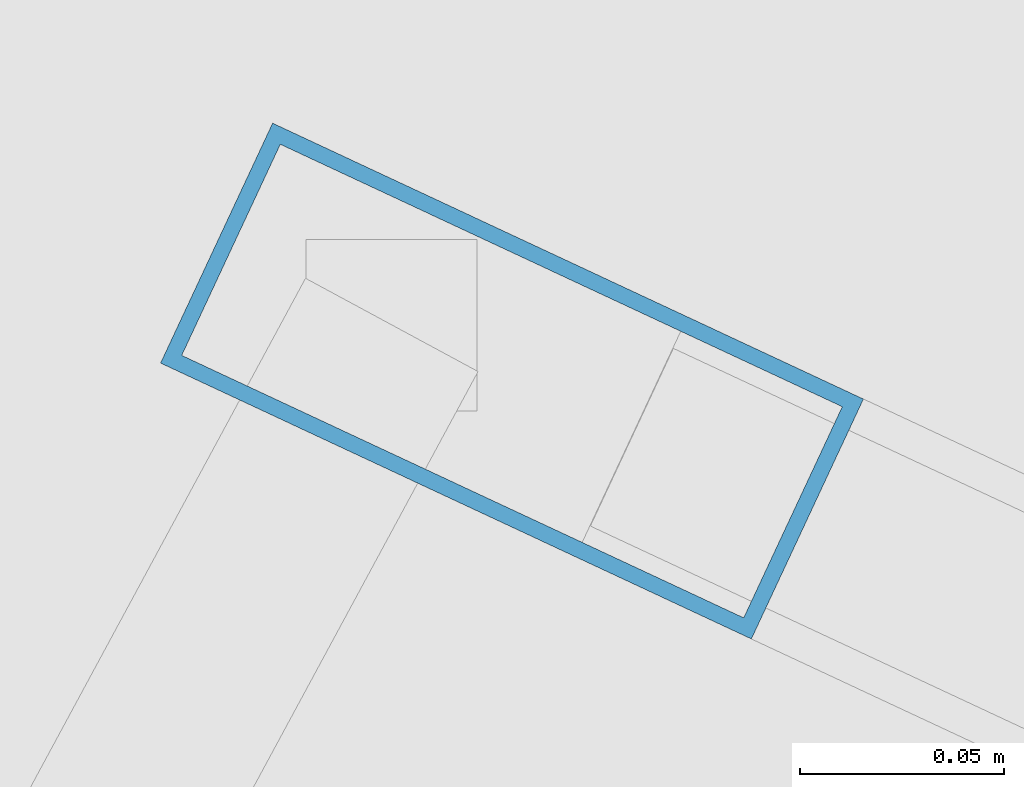
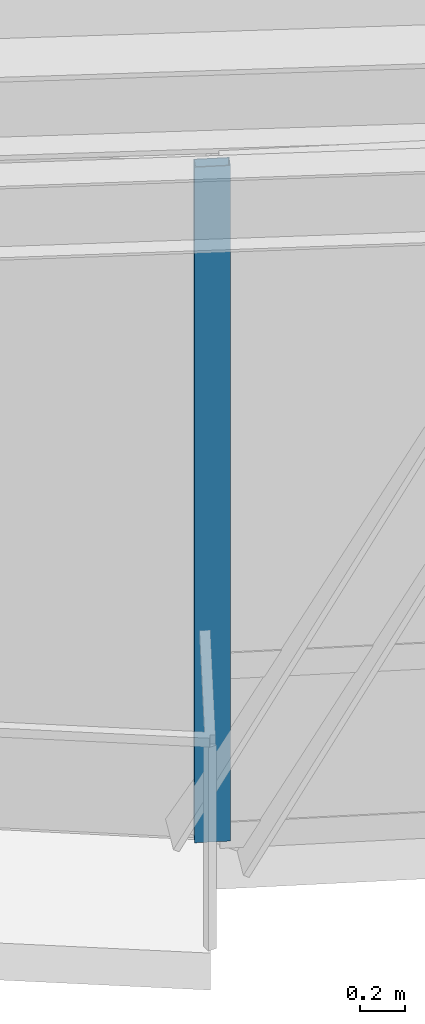
# One storey, part 2 of 22: 1 member, 1 element without a shape of its own.
"""IFC4 building model written with IfcOpenShell, lengths in metres."""

from ifc_helpers import new_model, si_unit, direction, frame, origin, origin_2d, place, context, subcontext, project, spatial, hollow_rectangle, extrude, source, transform, mapped, material, material_profile, profile_set, type_object, element, aggregate, save


model = new_model("IFC4")

# Units and contexts
model_context = context("Model", 3, precision=1e-05, world=origin(), true_north=direction((0.0, 1.0)))
body_context = subcontext(model_context, "Body", "Model", "MODEL_VIEW")
ifc_project = project(units=[si_unit("LENGTHUNIT", "METRE"), si_unit("AREAUNIT", "SQUARE_METRE"), si_unit("VOLUMEUNIT", "CUBIC_METRE"), si_unit("PLANEANGLEUNIT", "RADIAN"), si_unit("MASSUNIT", "GRAM", prefix="KILO")], contexts=[model_context])

# Site, building, storey
site_placement = place(None, origin())
site = spatial("IfcSite", under=ifc_project, at=site_placement, CompositionType="ELEMENT")
building_placement = place(site_placement, origin())
building = spatial("IfcBuilding", under=site, at=building_placement, Name="Olszyna Solenne Hotel", CompositionType="ELEMENT")
storey_placement = place(building_placement, frame((0.0, 0.0, 286.10009765625)))
storey = spatial("IfcBuildingStorey", under=building, at=storey_placement, Name="L76", CompositionType="ELEMENT", Elevation=286.10009765625)

# Curtain wall, member
ifc_material = material(Name="Anodised bronze aluminium", Category="aluminium")
curtain_wall_type = type_object("IfcCurtainWallType", Name="CW-SYS-7", PredefinedType="NOTDEFINED", material=ifc_material)
curtain_wall_placement = place(storey_placement, origin())
curtain_wall = element("IfcCurtainWall", 1, at=curtain_wall_placement, inside=storey, type_object=curtain_wall_type, Name="Unitised curtain wall CW-SYS-7 CW-L76-01", PredefinedType="NOTDEFINED")
ifc_material_profile = material_profile(ifc_material, hollow_rectangle(XDim=0.06494140625, YDim=0.159912109375, WallThickness=0.00390625, at=origin_2d()), Name="MULL 160x65x4", Category="load-bearing")
ifc_profile_set = profile_set([ifc_material_profile], Name="Anodised bronze aluminium")
member_type = type_object("IfcMemberType", Name="CW-M3", PredefinedType="MULLION", material=ifc_profile_set)
shared_shape = source(origin(), body_context, "Body", "SweptSolid", [
    extrude(hollow_rectangle(XDim=0.06494140625, YDim=0.159912109375, WallThickness=0.00390625, at=origin_2d()), origin(), (0.0, 0.0, 1.0), 3.661865234375),
])
member_placement = place(storey_placement, frame((30.5478515625, 12.828857421875, 0.0), z_axis=(0.0, 0.0, 1.0), x_axis=(0.423084055613, 0.906090438028, 0.0)))
member = element("IfcMember", 2, at=member_placement, type_object=member_type, Name="Curtain-wall mullion CW-M3 CM-L76-01-01", PredefinedType="MULLION", context=body_context, shape_type="MappedRepresentation", body=[
    mapped(shared_shape, transform((0.0, 0.0, 0.0), x_axis=(1.0, 0.0, 0.0), y_axis=(0.0, 1.0, 0.0), z_axis=(0.0, 0.0, 1.0), scale=1.0)),
])
aggregate(curtain_wall, [member])

save(model, "model.ifc")
